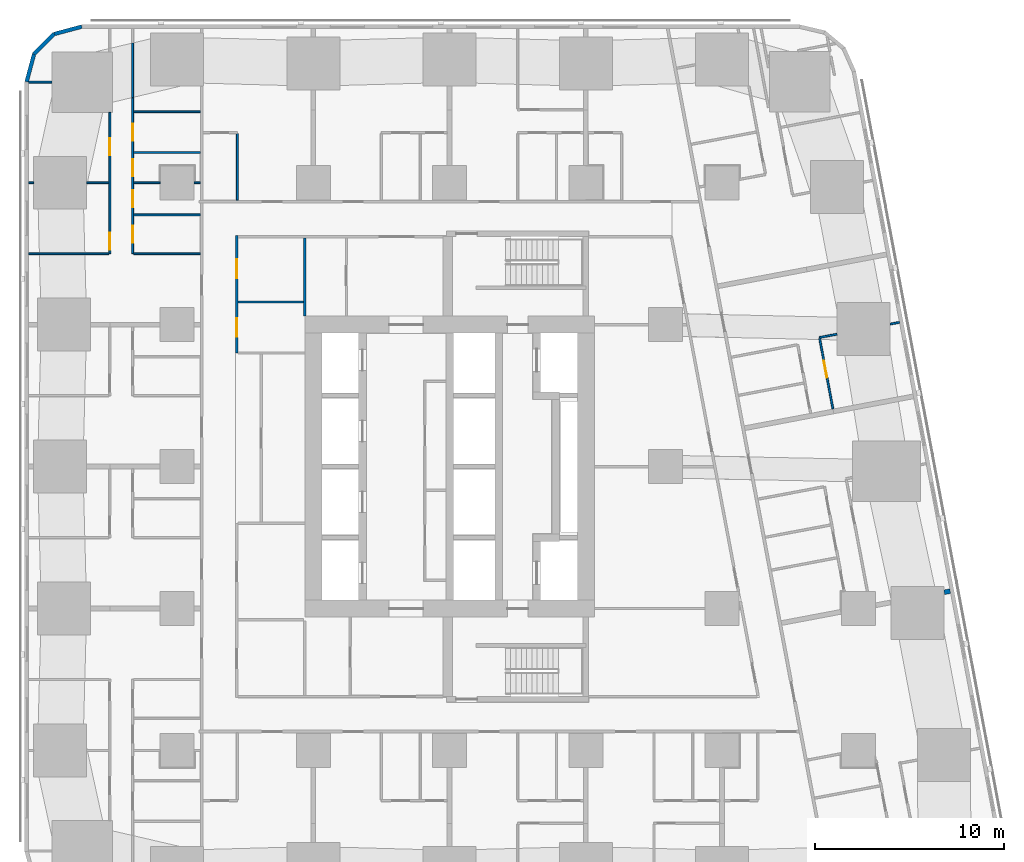
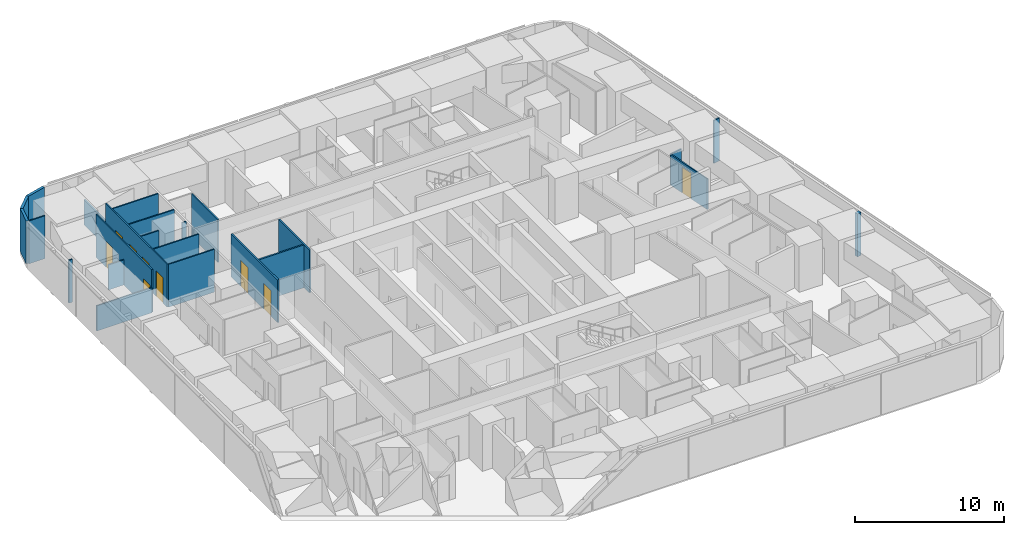
# One storey, part 8 of 15: 24 walls, 9 doors, 9 openings.
"""IFC4 building model written with IfcOpenShell, lengths in metres."""

from ifc_helpers import new_model, si_unit, direction, frame, frame_2d, origin, place, context, subcontext, project, spatial, rectangle, extrude, material, layer, layer_set, type_object, element, fill, save


model = new_model("IFC4")

# Units and contexts
model_context = context("Model", 3, precision=1e-05, world=origin(), true_north=direction((0.0, 1.0)))
body_context = subcontext(model_context, "Body", "Model", "MODEL_VIEW")
ifc_project = project(units=[si_unit("LENGTHUNIT", "METRE"), si_unit("AREAUNIT", "SQUARE_METRE"), si_unit("VOLUMEUNIT", "CUBIC_METRE"), si_unit("PLANEANGLEUNIT", "RADIAN"), si_unit("MASSUNIT", "GRAM", prefix="KILO")], contexts=[model_context])

# Site, building, storey
site_placement = place(None, origin())
site = spatial("IfcSite", under=ifc_project, at=site_placement, CompositionType="ELEMENT")
building_placement = place(site_placement, origin())
building = spatial("IfcBuilding", under=site, at=building_placement, Name="Sheger Commons Tower", CompositionType="ELEMENT")
storey_placement = place(building_placement, frame((0.0, 0.0, 46.25)))
storey = spatial("IfcBuildingStorey", under=building, at=storey_placement, Name="L11", CompositionType="ELEMENT", Elevation=46.25)

# Walls
ifc_material_1 = material(Name="Dense concrete block masonry, plastered both sides (separating wall between flats)", Category="masonry")
ifc_layer_1 = layer(ifc_material_1, 0.25)
ifc_layer_set_1 = layer_set([ifc_layer_1], Name="DEMISING WALL 250")
wall_type_1 = type_object("IfcWallType", Name="DEMISING WALL 250", PredefinedType="SOLIDWALL", material=ifc_layer_set_1)
wall_1_placement = place(storey_placement, frame((48.054931640625, 15.9169921875, 0.0), z_axis=(0.0, 0.0, 1.0), x_axis=(-0.982510408223, -0.186207673669, 0.0)))
element("IfcWall", 1, at=wall_1_placement, inside=storey, type_object=wall_type_1, Name="Demising wall L11", PredefinedType="SOLIDWALL", context=body_context, shape_type="SweptSolid", body=[
    extrude(rectangle(XDim=0.322509765625, YDim=0.25, at=frame_2d((0.1611328125, 0.0))), origin(), (0.0, 0.0, 1.0), 3.5),
])
ifc_material_2 = material(Name="Rendered concrete block masonry, dark grey", Category="masonry")
ifc_layer_2 = layer(ifc_material_2, 0.199951171875)
ifc_layer_set_2 = layer_set([ifc_layer_2], Name="FACADE WALL 200")
wall_type_2 = type_object("IfcWallType", Name="FACADE WALL 200", PredefinedType="SOLIDWALL", material=ifc_layer_set_2)
wall_2_placement = place(storey_placement, frame((2.1630859375, 45.75, 0.0), z_axis=(0.0, 0.0, 1.0), x_axis=(-0.965832000415, -0.259168954497, 0.0)))
element("IfcWall", 2, at=wall_2_placement, inside=storey, type_object=wall_type_2, Name="Facade wall L11", PredefinedType="SOLIDWALL", context=body_context, shape_type="SweptSolid", body=[
    extrude(rectangle(XDim=1.512939453125, YDim=0.199951171875, at=frame_2d((0.75634765625, 0.0))), origin(), (0.0, 0.0, 1.0), 3.5),
])
wall_3_placement = place(storey_placement, frame((0.701904296875, 45.35791015625, 0.0), z_axis=(0.0, 0.0, 1.0), x_axis=(-0.707106781187, -0.707106781187, 0.0)))
element("IfcWall", 3, at=wall_3_placement, inside=storey, type_object=wall_type_2, Name="Facade wall L11", PredefinedType="SOLIDWALL", context=body_context, shape_type="SweptSolid", body=[
    extrude(rectangle(XDim=1.498779296875, YDim=0.199951171875, at=frame_2d((0.74951171875, 0.0))), origin(), (0.0, 0.0, 1.0), 3.5),
])
wall_4_placement = place(storey_placement, frame((-0.35791015625, 44.298095703125, 0.0), z_axis=(0.0, 0.0, 1.0), x_axis=(-0.259168954497, -0.965832000415, 0.0)))
element("IfcWall", 4, at=wall_4_placement, inside=storey, type_object=wall_type_2, Name="Facade wall L11", PredefinedType="SOLIDWALL", context=body_context, shape_type="SweptSolid", body=[
    extrude(rectangle(XDim=1.512939453125, YDim=0.199951171875, at=frame_2d((0.75634765625, 0.0))), origin(), (0.0, 0.0, 1.0), 3.5),
])

# Wall, openings, doors
ifc_material_3 = material(Name="Gypsum board on steel studs", Category="steel")
ifc_layer_3 = layer(ifc_material_3, 0.10009765625)
ifc_layer_set_3 = layer_set([ifc_layer_3], Name="PARTITION 100")
wall_type_3 = type_object("IfcWallType", Name="PARTITION 100", PredefinedType="PARTITIONING", material=ifc_layer_set_3)
wall_5_placement = place(storey_placement, frame((3.64990234375, 33.75, 0.0), z_axis=(0.0, 0.0, 1.0), x_axis=(0.0, 1.0, 0.0)))
wall_5 = element("IfcWall", 5, at=wall_5_placement, inside=storey, type_object=wall_type_3, Name="Partition L11", PredefinedType="PARTITIONING", context=body_context, shape_type="SweptSolid", body=[
    extrude(rectangle(XDim=7.462890625, YDim=0.10009765625, at=frame_2d((3.7314453125, 0.0))), origin(), (0.0, 0.0, 1.0), 3.5),
])
opening_1_placement = place(wall_5_placement, frame((0.199951171875, 0.0, 0.0)))
opening_1 = element("IfcOpeningElement", 6, at=opening_1_placement, cuts=wall_5, Name="Opening D2", PredefinedType="OPENING", context=body_context, shape_type="SweptSolid", body=[
    extrude(rectangle(XDim=0.89990234375, YDim=2.10009765625, at=frame_2d((0.449951171875, 1.050048828125))), frame((0.0, 0.06005859375, 0.0), z_axis=(0.0, -1.0, 0.0), x_axis=(1.0, 0.0, 0.0)), (0.0, 0.0, 1.0), 0.1201171875),
])
opening_2_placement = place(wall_5_placement, frame((5.199951171875, 0.0, 0.0)))
opening_2 = element("IfcOpeningElement", 7, at=opening_2_placement, cuts=wall_5, Name="Opening D2", PredefinedType="OPENING", context=body_context, shape_type="SweptSolid", body=[
    extrude(rectangle(XDim=0.89990234375, YDim=2.10009765625, at=frame_2d((0.449951171875, 1.050048828125))), frame((0.0, 0.06005859375, 0.0), z_axis=(0.0, -1.0, 0.0), x_axis=(1.0, 0.0, 0.0)), (0.0, 0.0, 1.0), 0.1201171875),
])
ifc_material_4 = material(Name="Timber door set", Category="wood")
door_type_1 = type_object("IfcDoorType", Name="INTERNAL DOOR 900x2100", OperationType="NOTDEFINED", PredefinedType="DOOR", material=ifc_material_4)
door_1_placement = place(opening_1_placement, origin())
door_1 = element("IfcDoor", 8, at=door_1_placement, inside=storey, type_object=door_type_1, Name="Main bedroom door", OperationType="SINGLE_SWING_LEFT", OverallHeight=2.10009765625, OverallWidth=0.89990234375, PredefinedType="DOOR", context=body_context, shape_type="SweptSolid", body=[
    extrude(rectangle(XDim=0.89990234375, YDim=2.10009765625, at=frame_2d((0.449951171875, 1.050048828125))), frame((0.0, 0.02490234375, 0.0), z_axis=(0.0, -1.0, 0.0), x_axis=(1.0, 0.0, 0.0)), (0.0, 0.0, 1.0), 0.050048828125),
])
fill(opening_1, door_1)
door_2_placement = place(opening_2_placement, origin())
door_2 = element("IfcDoor", 9, at=door_2_placement, inside=storey, type_object=door_type_1, Name="Bedroom 2 door", OperationType="SINGLE_SWING_RIGHT", OverallHeight=2.10009765625, OverallWidth=0.89990234375, PredefinedType="DOOR", context=body_context, shape_type="SweptSolid", body=[
    extrude(rectangle(XDim=0.89990234375, YDim=2.10009765625, at=frame_2d((0.449951171875, 1.050048828125))), frame((0.0, 0.02490234375, 0.0), z_axis=(0.0, -1.0, 0.0), x_axis=(1.0, 0.0, 0.0)), (0.0, 0.0, 1.0), 0.050048828125),
])
fill(opening_2, door_2)

wall_6_placement = place(storey_placement, frame((4.85009765625, 33.75, 0.0), z_axis=(0.0, 0.0, 1.0), x_axis=(0.0, 1.0, 0.0)))
wall_6 = element("IfcWall", 10, at=wall_6_placement, inside=storey, type_object=wall_type_3, Name="Partition L11", PredefinedType="PARTITIONING", context=body_context, shape_type="SweptSolid", body=[
    extrude(rectangle(XDim=8.243896484375, YDim=0.10009765625, at=frame_2d((4.1220703125, 0.0))), origin(), (0.0, 0.0, 1.0), 3.5),
])
opening_3_placement = place(wall_6_placement, frame((0.574951171875, 0.0, 0.0)))
opening_3 = element("IfcOpeningElement", 11, at=opening_3_placement, cuts=wall_6, Name="Opening D2", PredefinedType="OPENING", context=body_context, shape_type="SweptSolid", body=[
    extrude(rectangle(XDim=0.89990234375, YDim=2.10009765625, at=frame_2d((0.449951171875, 1.050048828125))), frame((0.0, 0.06005859375, 0.0), z_axis=(0.0, -1.0, 0.0), x_axis=(1.0, 0.0, 0.0)), (0.0, 0.0, 1.0), 0.1201171875),
])
opening_4_placement = place(wall_6_placement, frame((4.10009765625, 0.0, 0.0)))
opening_4 = element("IfcOpeningElement", 12, at=opening_4_placement, cuts=wall_6, Name="Opening D2", PredefinedType="OPENING", context=body_context, shape_type="SweptSolid", body=[
    extrude(rectangle(XDim=0.89990234375, YDim=2.10009765625, at=frame_2d((0.449951171875, 1.050048828125))), frame((0.0, 0.06005859375, 0.0), z_axis=(0.0, -1.0, 0.0), x_axis=(1.0, 0.0, 0.0)), (0.0, 0.0, 1.0), 0.1201171875),
])
opening_5_placement = place(wall_6_placement, frame((2.449951171875, 0.0, 0.0)))
opening_5 = element("IfcOpeningElement", 13, at=opening_5_placement, cuts=wall_6, Name="Opening D2", PredefinedType="OPENING", context=body_context, shape_type="SweptSolid", body=[
    extrude(rectangle(XDim=0.89990234375, YDim=2.10009765625, at=frame_2d((0.449951171875, 1.050048828125))), frame((0.0, 0.06005859375, 0.0), z_axis=(0.0, -1.0, 0.0), x_axis=(1.0, 0.0, 0.0)), (0.0, 0.0, 1.0), 0.1201171875),
])
opening_6_placement = place(wall_6_placement, frame((5.97509765625, 0.0, 0.0)))
opening_6 = element("IfcOpeningElement", 14, at=opening_6_placement, cuts=wall_6, Name="Opening D2", PredefinedType="OPENING", context=body_context, shape_type="SweptSolid", body=[
    extrude(rectangle(XDim=0.89990234375, YDim=2.10009765625, at=frame_2d((0.449951171875, 1.050048828125))), frame((0.0, 0.06005859375, 0.0), z_axis=(0.0, -1.0, 0.0), x_axis=(1.0, 0.0, 0.0)), (0.0, 0.0, 1.0), 0.1201171875),
])
door_3_placement = place(opening_3_placement, origin())
door_3 = element("IfcDoor", 15, at=door_3_placement, inside=storey, type_object=door_type_1, Name="Bathroom door", OperationType="SINGLE_SWING_RIGHT", OverallHeight=2.10009765625, OverallWidth=0.89990234375, PredefinedType="DOOR", context=body_context, shape_type="SweptSolid", body=[
    extrude(rectangle(XDim=0.89990234375, YDim=2.10009765625, at=frame_2d((0.449951171875, 1.050048828125))), frame((0.0, 0.02490234375, 0.0), z_axis=(0.0, -1.0, 0.0), x_axis=(1.0, 0.0, 0.0)), (0.0, 0.0, 1.0), 0.050048828125),
])
fill(opening_3, door_3)
door_4_placement = place(opening_4_placement, origin())
door_4 = element("IfcDoor", 16, at=door_4_placement, inside=storey, type_object=door_type_1, Name="Shower room door", OperationType="SINGLE_SWING_LEFT", OverallHeight=2.10009765625, OverallWidth=0.89990234375, PredefinedType="DOOR", context=body_context, shape_type="SweptSolid", body=[
    extrude(rectangle(XDim=0.89990234375, YDim=2.10009765625, at=frame_2d((0.449951171875, 1.050048828125))), frame((0.0, 0.02490234375, 0.0), z_axis=(0.0, -1.0, 0.0), x_axis=(1.0, 0.0, 0.0)), (0.0, 0.0, 1.0), 0.050048828125),
])
fill(opening_4, door_4)
door_5_placement = place(opening_5_placement, origin())
door_5 = element("IfcDoor", 17, at=door_5_placement, inside=storey, type_object=door_type_1, Name="Store door", OperationType="SINGLE_SWING_LEFT", OverallHeight=2.10009765625, OverallWidth=0.89990234375, PredefinedType="DOOR", context=body_context, shape_type="SweptSolid", body=[
    extrude(rectangle(XDim=0.89990234375, YDim=2.10009765625, at=frame_2d((0.449951171875, 1.050048828125))), frame((0.0, 0.02490234375, 0.0), z_axis=(0.0, -1.0, 0.0), x_axis=(1.0, 0.0, 0.0)), (0.0, 0.0, 1.0), 0.050048828125),
])
fill(opening_5, door_5)
door_6_placement = place(opening_6_placement, origin())
door_6 = element("IfcDoor", 18, at=door_6_placement, inside=storey, type_object=door_type_1, Name="Store door", OperationType="SINGLE_SWING_RIGHT", OverallHeight=2.10009765625, OverallWidth=0.89990234375, PredefinedType="DOOR", context=body_context, shape_type="SweptSolid", body=[
    extrude(rectangle(XDim=0.89990234375, YDim=2.10009765625, at=frame_2d((0.449951171875, 1.050048828125))), frame((0.0, 0.02490234375, 0.0), z_axis=(0.0, -1.0, 0.0), x_axis=(1.0, 0.0, 0.0)), (0.0, 0.0, 1.0), 0.050048828125),
])
fill(opening_6, door_6)

# Walls
wall_7_placement = place(storey_placement, frame((4.85009765625, 41.993896484375, 0.0), z_axis=(0.0, 0.0, 1.0), x_axis=(0.0, 1.0, 0.0)))
element("IfcWall", 19, at=wall_7_placement, inside=storey, type_object=wall_type_3, Name="Partition L11", PredefinedType="PARTITIONING", context=body_context, shape_type="SweptSolid", body=[
    extrude(rectangle(XDim=2.901123046875, YDim=0.10009765625, at=frame_2d((1.45068359375, 0.0))), origin(), (0.0, 0.0, 1.0), 2.050048828125),
])
wall_8_placement = place(storey_placement, frame((-0.64990234375, 33.75, 0.0), z_axis=(0.0, 0.0, 1.0), x_axis=(1.0, 0.0, 0.0)))
element("IfcWall", 20, at=wall_8_placement, inside=storey, type_object=wall_type_3, Name="Partition L11", PredefinedType="PARTITIONING", context=body_context, shape_type="SweptSolid", body=[
    extrude(rectangle(XDim=4.25, YDim=0.10009765625, at=frame_2d((2.125, 0.0))), origin(), (0.0, 0.0, 1.0), 2.050048828125),
])
wall_9_placement = place(storey_placement, frame((-0.64990234375, 37.5, 0.0), z_axis=(0.0, 0.0, 1.0), x_axis=(1.0, 0.0, 0.0)))
element("IfcWall", 21, at=wall_9_placement, inside=storey, type_object=wall_type_3, Name="Partition L11", PredefinedType="PARTITIONING", context=body_context, shape_type="SweptSolid", body=[
    extrude(rectangle(XDim=0.27392578125, YDim=0.10009765625, at=frame_2d((0.136962890625, 0.0))), origin(), (0.0, 0.0, 1.0), 3.5),
])
wall_10_placement = place(storey_placement, frame((2.426025390625, 37.5, 0.0), z_axis=(0.0, 0.0, 1.0), x_axis=(1.0, 0.0, 0.0)))
element("IfcWall", 22, at=wall_10_placement, inside=storey, type_object=wall_type_3, Name="Partition L11", PredefinedType="PARTITIONING", context=body_context, shape_type="SweptSolid", body=[
    extrude(rectangle(XDim=1.174072265625, YDim=0.10009765625, at=frame_2d((0.5869140625, 0.0))), origin(), (0.0, 0.0, 1.0), 2.050048828125),
])
wall_11_placement = place(storey_placement, frame((-0.64990234375, 42.81396484375, 0.0), z_axis=(0.0, 0.0, 1.0), x_axis=(1.0, 0.0, 0.0)))
element("IfcWall", 23, at=wall_11_placement, inside=storey, type_object=wall_type_3, Name="Partition L11", PredefinedType="PARTITIONING", context=body_context, shape_type="SweptSolid", body=[
    extrude(rectangle(XDim=1.23486328125, YDim=0.10009765625, at=frame_2d((0.617431640625, 0.0))), origin(), (0.0, 0.0, 1.0), 3.5),
])
wall_12_placement = place(storey_placement, frame((4.89990234375, 33.75, 0.0), z_axis=(0.0, 0.0, 1.0), x_axis=(1.0, 0.0, 0.0)))
element("IfcWall", 24, at=wall_12_placement, inside=storey, type_object=wall_type_3, Name="Partition L11", PredefinedType="PARTITIONING", context=body_context, shape_type="SweptSolid", body=[
    extrude(rectangle(XDim=3.525146484375, YDim=0.10009765625, at=frame_2d((1.7626953125, 0.0))), origin(), (0.0, 0.0, 1.0), 3.5),
])
wall_13_placement = place(storey_placement, frame((4.89990234375, 37.5, 0.0), z_axis=(0.0, 0.0, 1.0), x_axis=(1.0, 0.0, 0.0)))
element("IfcWall", 25, at=wall_13_placement, inside=storey, type_object=wall_type_3, Name="Partition L11", PredefinedType="PARTITIONING", context=body_context, shape_type="SweptSolid", body=[
    extrude(rectangle(XDim=1.399169921875, YDim=0.10009765625, at=frame_2d((0.69970703125, 0.0))), origin(), (0.0, 0.0, 1.0), 3.5),
])
wall_14_placement = place(storey_placement, frame((8.10107421875, 37.5, 0.0), z_axis=(0.0, 0.0, 1.0), x_axis=(1.0, 0.0, 0.0)))
element("IfcWall", 26, at=wall_14_placement, inside=storey, type_object=wall_type_3, Name="Partition L11", PredefinedType="PARTITIONING", context=body_context, shape_type="SweptSolid", body=[
    extrude(rectangle(XDim=0.323974609375, YDim=0.10009765625, at=frame_2d((0.162109375, 0.0))), origin(), (0.0, 0.0, 1.0), 3.5),
])
for number, where, z_axis, x_axis, name in (
    (27, (4.89990234375, 41.25, 0.0), (0.0, 0.0, 1.0), (1.0, 0.0, 0.0), "Partition L11"),
    (28, (4.89990234375, 35.800048828125, 0.0), (0.0, 0.0, 1.0), (1.0, 0.0, 0.0), "Partition L11"),
    (29, (4.89990234375, 39.10009765625, 0.0), (0.0, 0.0, 1.0), (1.0, 0.0, 0.0), "Partition L11"),
):
    element("IfcWall", number, at=place(storey_placement, frame(where, z_axis=z_axis, x_axis=x_axis)), inside=storey, type_object=wall_type_3, Name=name, PredefinedType="PARTITIONING", context=body_context, shape_type="SweptSolid", body=[
        extrude(rectangle(XDim=3.525146484375, YDim=0.10009765625, at=frame_2d((1.7626953125, 0.0))), origin(), (0.0, 0.0, 1.0), 3.5),
    ])

# Wall, opening, door
wall_15_placement = place(storey_placement, frame((41.156005859375, 29.27294921875, 0.0), z_axis=(0.0, 0.0, 1.0), x_axis=(0.185474762472, -0.982649028131, 0.0)))
wall_15 = element("IfcWall", 30, at=wall_15_placement, inside=storey, type_object=wall_type_3, Name="Partition L11", PredefinedType="PARTITIONING", context=body_context, shape_type="SweptSolid", body=[
    extrude(rectangle(XDim=3.78955078125, YDim=0.10009765625, at=frame_2d((1.894775390625, 0.0))), origin(), (0.0, 0.0, 1.0), 2.5),
])
opening_7_placement = place(wall_15_placement, frame((1.199951171875, 0.0, 0.0)))
opening_7 = element("IfcOpeningElement", 31, at=opening_7_placement, cuts=wall_15, Name="Opening D2", PredefinedType="OPENING", context=body_context, shape_type="SweptSolid", body=[
    extrude(rectangle(XDim=0.89990234375, YDim=2.10009765625, at=frame_2d((0.449951171875, 1.050048828125))), frame((0.0, 0.06005859375, 0.0), z_axis=(0.0, -1.0, 0.0), x_axis=(1.0, 0.0, 0.0)), (0.0, 0.0, 1.0), 0.1201171875),
])
door_7_placement = place(opening_7_placement, origin())
door_7 = element("IfcDoor", 32, at=door_7_placement, inside=storey, type_object=door_type_1, Name="Main bedroom door", OperationType="SINGLE_SWING_LEFT", OverallHeight=2.10009765625, OverallWidth=0.89990234375, PredefinedType="DOOR", context=body_context, shape_type="SweptSolid", body=[
    extrude(rectangle(XDim=0.89990234375, YDim=2.10009765625, at=frame_2d((0.449951171875, 1.050048828125))), frame((0.0, 0.02490234375, 0.0), z_axis=(0.0, -1.0, 0.0), x_axis=(1.0, 0.0, 0.0)), (0.0, 0.0, 1.0), 0.050048828125),
])
fill(opening_7, door_7)

# Walls
wall_16_placement = place(storey_placement, frame((45.3720703125, 30.12109375, 0.0), z_axis=(0.0, 0.0, 1.0), x_axis=(-0.982629142467, -0.185580086147, 0.0)))
element("IfcWall", 33, at=wall_16_placement, inside=storey, type_object=wall_type_3, Name="Partition L11", PredefinedType="PARTITIONING", context=body_context, shape_type="SweptSolid", body=[
    extrude(rectangle(XDim=0.49072265625, YDim=0.10009765625, at=frame_2d((0.245361328125, 0.0))), origin(), (0.0, 0.0, 1.0), 3.5),
])
wall_17_placement = place(storey_placement, frame((42.070068359375, 29.4970703125, 0.0), z_axis=(0.0, 0.0, 1.0), x_axis=(-0.982490624992, -0.186312028067, 0.0)))
element("IfcWall", 34, at=wall_17_placement, inside=storey, type_object=wall_type_3, Name="Partition L11", PredefinedType="PARTITIONING", context=body_context, shape_type="SweptSolid", body=[
    extrude(rectangle(XDim=0.939453125, YDim=0.10009765625, at=frame_2d((0.4697265625, 0.0))), origin(), (0.0, 0.0, 1.0), 2.5),
])
wall_18_placement = place(storey_placement, frame((10.389892578125, 36.574951171875, 0.0), z_axis=(0.0, 0.0, 1.0), x_axis=(0.0, 1.0, 0.0)))
element("IfcWall", 35, at=wall_18_placement, inside=storey, type_object=wall_type_3, Name="Partition L11", PredefinedType="PARTITIONING", context=body_context, shape_type="SweptSolid", body=[
    extrude(rectangle(XDim=3.525146484375, YDim=0.10009765625, at=frame_2d((1.7626953125, 0.0))), origin(), (0.0, 0.0, 1.0), 3.5),
])

# Wall, openings, doors
ifc_material_5 = material(Name="Gypsum board on steel studs, two layers each side, fire rated", Category="steel")
ifc_layer_4 = layer(ifc_material_5, 0.125)
ifc_layer_set_4 = layer_set([ifc_layer_4], Name="SERVICE WALL 125")
wall_type_4 = type_object("IfcWallType", Name="SERVICE WALL 125", PredefinedType="PARTITIONING", material=ifc_layer_set_4)
wall_19_placement = place(storey_placement, frame((10.35009765625, 28.5, 0.0), z_axis=(0.0, 0.0, 1.0), x_axis=(0.0, 1.0, 0.0)))
wall_19 = element("IfcWall", 36, at=wall_19_placement, inside=storey, type_object=wall_type_4, Name="Service room wall L11", PredefinedType="PARTITIONING", context=body_context, shape_type="SweptSolid", body=[
    extrude(rectangle(XDim=6.199951171875, YDim=0.125, at=frame_2d((3.10009765625, 0.0))), origin(), (0.0, 0.0, 1.0), 3.5),
])
opening_8_placement = place(wall_19_placement, frame((0.85009765625, 0.0, 0.0)))
opening_8 = element("IfcOpeningElement", 37, at=opening_8_placement, cuts=wall_19, Name="Opening D4", PredefinedType="OPENING", context=body_context, shape_type="SweptSolid", body=[
    extrude(rectangle(XDim=1.0, YDim=2.10009765625, at=frame_2d((0.5, 1.050048828125))), frame((0.0, 0.072509765625, 0.0), z_axis=(0.0, -1.0, 0.0), x_axis=(1.0, 0.0, 0.0)), (0.0, 0.0, 1.0), 0.14501953125),
])
opening_9_placement = place(wall_19_placement, frame((3.949951171875, 0.0, 0.0)))
opening_9 = element("IfcOpeningElement", 38, at=opening_9_placement, cuts=wall_19, Name="Opening D4", PredefinedType="OPENING", context=body_context, shape_type="SweptSolid", body=[
    extrude(rectangle(XDim=1.0, YDim=2.10009765625, at=frame_2d((0.5, 1.050048828125))), frame((0.0, 0.072509765625, 0.0), z_axis=(0.0, -1.0, 0.0), x_axis=(1.0, 0.0, 0.0)), (0.0, 0.0, 1.0), 0.14501953125),
])
ifc_material_6 = material(Name="Steel door set, fire rated", Category="steel")
door_type_2 = type_object("IfcDoorType", Name="SERVICE DOOR 1000x2100", OperationType="NOTDEFINED", PredefinedType="DOOR", material=ifc_material_6)
door_8_placement = place(opening_8_placement, origin())
door_8 = element("IfcDoor", 39, at=door_8_placement, inside=storey, type_object=door_type_2, Name="Cleaner's store door", OperationType="SINGLE_SWING_RIGHT", OverallHeight=2.10009765625, OverallWidth=1.0, PredefinedType="DOOR", context=body_context, shape_type="SweptSolid", body=[
    extrude(rectangle(XDim=1.0, YDim=2.10009765625, at=frame_2d((0.5, 1.050048828125))), frame((0.0, 0.02490234375, 0.0), z_axis=(0.0, -1.0, 0.0), x_axis=(1.0, 0.0, 0.0)), (0.0, 0.0, 1.0), 0.050048828125),
])
fill(opening_8, door_8)
door_9_placement = place(opening_9_placement, origin())
door_9 = element("IfcDoor", 40, at=door_9_placement, inside=storey, type_object=door_type_2, Name="Linen store door", OperationType="SINGLE_SWING_LEFT", OverallHeight=2.10009765625, OverallWidth=1.0, PredefinedType="DOOR", context=body_context, shape_type="SweptSolid", body=[
    extrude(rectangle(XDim=1.0, YDim=2.10009765625, at=frame_2d((0.5, 1.050048828125))), frame((0.0, 0.02490234375, 0.0), z_axis=(0.0, -1.0, 0.0), x_axis=(1.0, 0.0, 0.0)), (0.0, 0.0, 1.0), 0.050048828125),
])
fill(opening_9, door_9)

# Walls
wall_20_placement = place(storey_placement, frame((10.4130859375, 31.199951171875, 0.0), z_axis=(0.0, 0.0, 1.0), x_axis=(1.0, 0.0, 0.0)))
element("IfcWall", 41, at=wall_20_placement, inside=storey, type_object=wall_type_4, Name="Service room wall L11", PredefinedType="PARTITIONING", context=body_context, shape_type="SweptSolid", body=[
    extrude(rectangle(XDim=3.474853515625, YDim=0.125, at=frame_2d((1.7373046875, 0.0))), origin(), (0.0, 0.0, 1.0), 3.5),
])
wall_21_placement = place(storey_placement, frame((13.949951171875, 30.449951171875, 0.0), z_axis=(0.0, 0.0, 1.0), x_axis=(0.0, 1.0, 0.0)))
element("IfcWall", 42, at=wall_21_placement, inside=storey, type_object=wall_type_4, Name="Service room wall L11", PredefinedType="PARTITIONING", context=body_context, shape_type="SweptSolid", body=[
    extrude(rectangle(XDim=4.136962890625, YDim=0.125, at=frame_2d((2.068359375, 0.0))), origin(), (0.0, 0.0, 1.0), 3.5),
])

save(model, "model.ifc")
